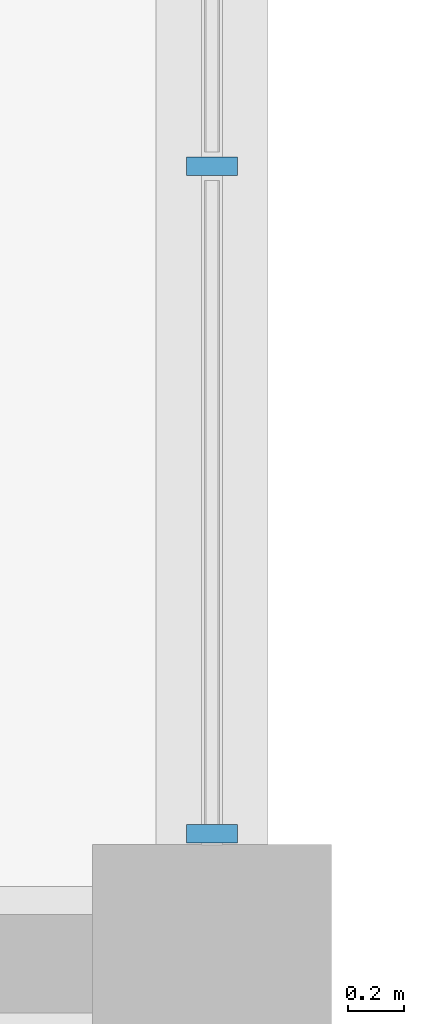
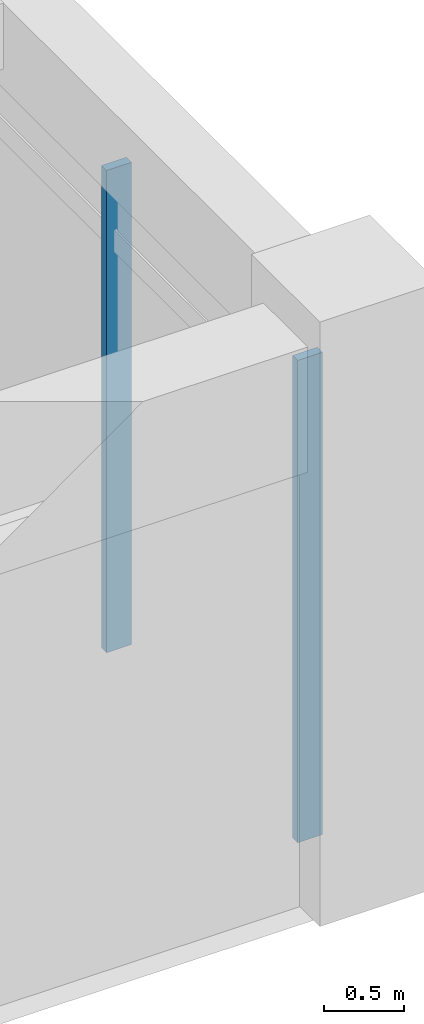
# One storey, part 34 of 93: 2 members, 1 element without a shape of its own.
"""IFC4 building model written with IfcOpenShell, lengths in metres."""

from ifc_helpers import new_model, si_unit, direction, frame, origin, origin_2d, place, context, subcontext, project, spatial, rectangle, extrude, material, layer, layer_set, material_profile, profile_set, type_object, element, aggregate, save


model = new_model("IFC4")

# Units and contexts
model_context = context("Model", 3, precision=1e-05, world=origin(), true_north=direction((0.0, 1.0)))
body_context = subcontext(model_context, "Body", "Model", "MODEL_VIEW")
ifc_project = project(units=[si_unit("LENGTHUNIT", "METRE"), si_unit("AREAUNIT", "SQUARE_METRE"), si_unit("VOLUMEUNIT", "CUBIC_METRE"), si_unit("PLANEANGLEUNIT", "RADIAN"), si_unit("MASSUNIT", "GRAM", prefix="KILO")], contexts=[model_context])

# Site, building, storey
site_placement = place(None, origin())
site = spatial("IfcSite", under=ifc_project, at=site_placement, CompositionType="ELEMENT")
building_placement = place(site_placement, origin())
building = spatial("IfcBuilding", under=site, at=building_placement, Name="Vaudrelin Polytechnic", CompositionType="ELEMENT")
storey_placement = place(building_placement, frame((0.0, 0.0, 5.10009765625)))
storey = spatial("IfcBuildingStorey", under=building, at=storey_placement, Name="L01", CompositionType="ELEMENT", Elevation=5.10009765625)

# Curtain wall, members
ifc_material_1 = material(Name="Thermally broken anodised aluminium AA 6063-T6 and low-e triple glazing", Category="aluminium")
ifc_layer = layer(ifc_material_1, 0.199951171875)
ifc_layer_set = layer_set([ifc_layer], Name="Thermally broken anodised aluminium AA 6063-T6 and low-e triple glazing")
curtain_wall_type = type_object("IfcCurtainWallType", Name="CW-CW-LAB", PredefinedType="USERDEFINED", material=ifc_layer_set)
curtain_wall_placement = place(storey_placement, origin())
curtain_wall = element("IfcCurtainWall", 1, at=curtain_wall_placement, inside=storey, type_object=curtain_wall_type, Name="Curtain wall L01 E_V4_00", ObjectType="CURTAIN WALL", PredefinedType="USERDEFINED")
ifc_material_2 = material(Name="Anodised aluminium AA 6063-T6", Category="aluminium")
ifc_material_profile = material_profile(ifc_material_2, rectangle(XDim=0.06494140625, YDim=0.179931640625, at=origin_2d()), Name="CWM-65x180")
ifc_profile_set = profile_set([ifc_material_profile], Name="Anodised aluminium AA 6063-T6")
member_type = type_object("IfcMemberType", Name="MEM-CWM-180", PredefinedType="MULLION", material=ifc_profile_set)
member_1_placement = place(storey_placement, frame((170.10009765625, 16.6630859375, 0.0), z_axis=(0.0, 0.0, 1.0), x_axis=(0.0, 1.0, 0.0)))
member_1 = element("IfcMember", 2, at=member_1_placement, type_object=member_type, Name="E_V4_00 mullion 1", PredefinedType="MULLION", context=body_context, shape_type="SweptSolid", body=[
    extrude(rectangle(XDim=0.06494140625, YDim=0.179931640625, at=origin_2d()), origin(), (0.0, 0.0, 1.0), 3.661865234375),
])
member_2_placement = place(storey_placement, frame((170.10009765625, 19.041015625, 0.0), z_axis=(0.0, 0.0, 1.0), x_axis=(0.0, 1.0, 0.0)))
member_2 = element("IfcMember", 3, at=member_2_placement, type_object=member_type, Name="E_V4_00 mullion 2", PredefinedType="MULLION", context=body_context, shape_type="SweptSolid", body=[
    extrude(rectangle(XDim=0.06494140625, YDim=0.179931640625, at=origin_2d()), origin(), (0.0, 0.0, 1.0), 3.661865234375),
])
aggregate(curtain_wall, [member_1, member_2])

save(model, "model.ifc")
